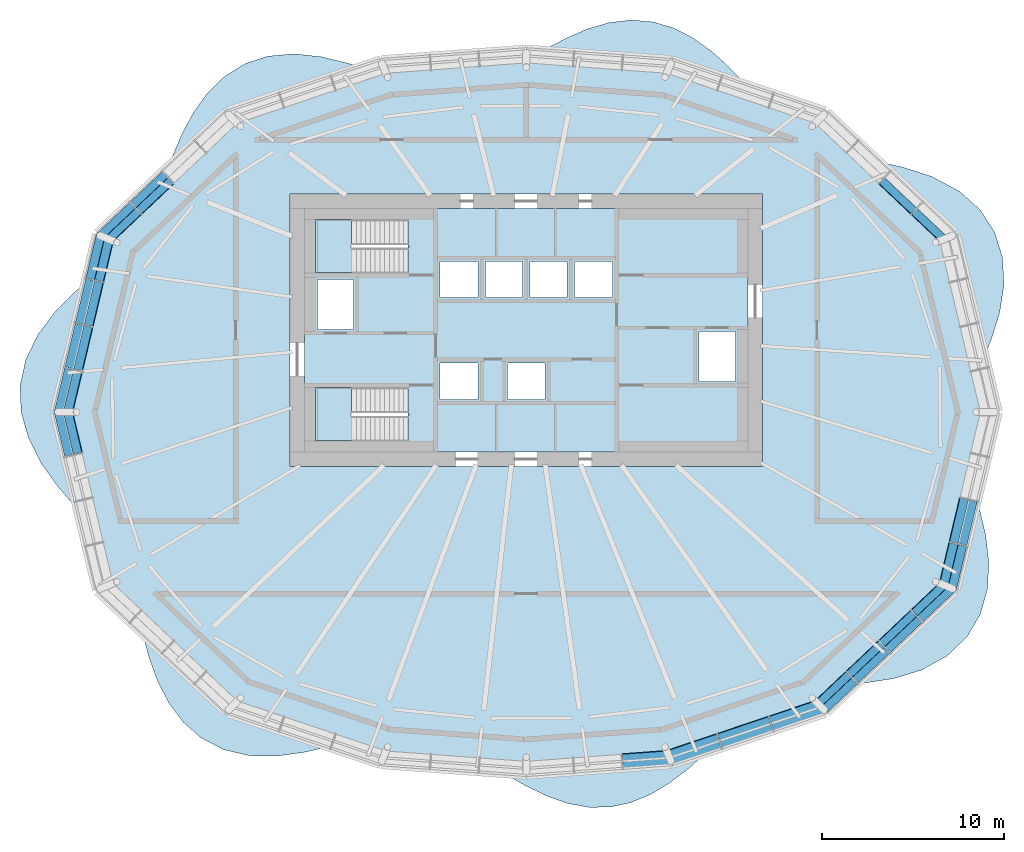
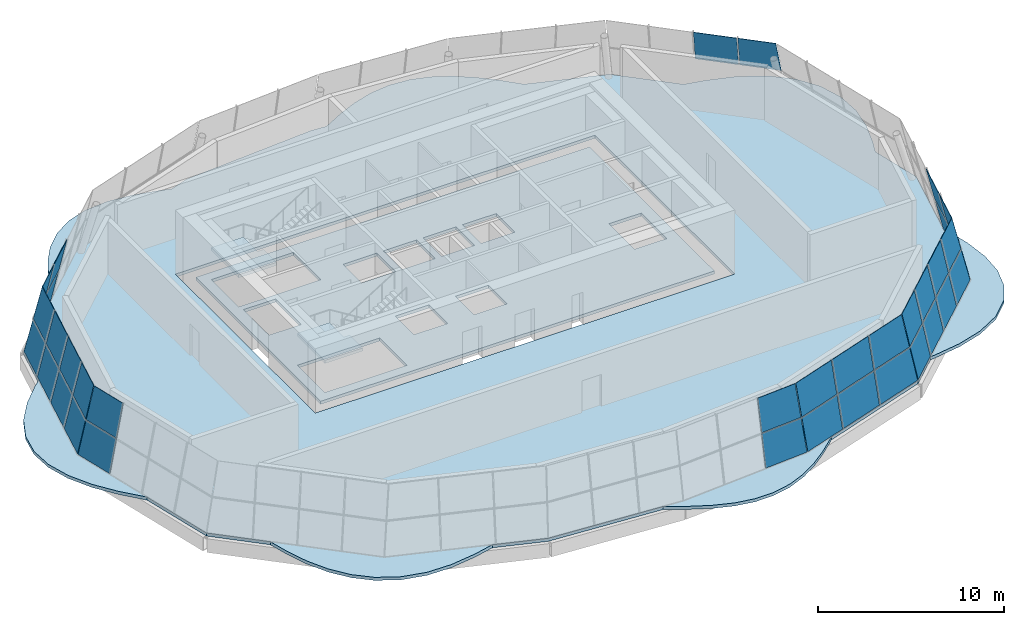
# One storey, part 5 of 9: 36 plates, 4 slabs, 10 elements without a shape of their own.
"""IFC4 building model written with IfcOpenShell, lengths in metres."""

import ifcopenshell
import ifcopenshell.guid

model = None  # the IFC model being written
_history = None  # IfcOwnerHistory: only IFC2X3 demands one
_inside = {}  # id of a spatial element -> (the spatial element, [elements in it])
_under = {}  # id of a project, library or spatial element -> (it, [spatial elements below it])
_declared = {}  # id of a project -> (the project, [libraries it declares])
_typed = {}  # id of a type object -> (the type object, [elements of that type])
_made_of = {}  # id of a material, layer set ... -> (it, [elements and type objects made of it])


def new_model(schema):
    """Start an empty IFC model of exactly this schema.

    Asked for "IFC4X3", IfcOpenShell would pick the latest addendum, in which some entities
    have other attributes; the version numbers below select the first issue.
    IFC2X3 requires an IfcOwnerHistory on every rooted entity: one is made here for all.
    """
    global model, _history
    if schema == "IFC4X3":
        model = ifcopenshell.file(schema_version=(4, 3, 0, 0))
    else:
        model = ifcopenshell.file(schema=schema)
    _inside.clear()
    _under.clear()
    _declared.clear()
    _typed.clear()
    _made_of.clear()
    _history = None
    if model.schema == "IFC2X3":
        org = make("IfcOrganization", Name="unknown")
        user = make(
            "IfcPersonAndOrganization",
            ThePerson=make("IfcPerson", FamilyName="unknown"),
            TheOrganization=org,
        )
        app = make(
            "IfcApplication",
            ApplicationDeveloper=org,
            Version="unknown",
            ApplicationFullName="unknown",
            ApplicationIdentifier="unknown",
        )
        _history = make(
            "IfcOwnerHistory",
            OwningUser=user,
            OwningApplication=app,
            ChangeAction="ADDED",
            CreationDate=0,
        )
    return model


def make(cls, **values):
    """One entity of the class cls with the attributes given. An attribute that is None is left unset."""
    return model.create_entity(
        cls, **{name: value for name, value in values.items() if value is not None}
    )


def rooted(cls, **values):
    """An entity with a GlobalId (a new one), such as an element, a storey or a relation."""
    return make(cls, GlobalId=ifcopenshell.guid.new(), OwnerHistory=_history, **values)


def si_unit(unit_type, name, prefix=None):
    """IfcSIUnit, for example si_unit("LENGTHUNIT", "METRE", prefix="MILLI")."""
    return make("IfcSIUnit", UnitType=unit_type, Prefix=prefix, Name=name)


def assignment(units):
    """IfcUnitAssignment: the units of a project."""
    return None if units is None else make("IfcUnitAssignment", Units=units)


def point(xyz):
    """IfcCartesianPoint."""
    return None if xyz is None else make("IfcCartesianPoint", Coordinates=xyz)


def direction(xyz):
    """IfcDirection."""
    return None if xyz is None else make("IfcDirection", DirectionRatios=xyz)


def frame(location, z_axis=None, x_axis=None):
    """IfcAxis2Placement3D, a coordinate frame: its origin and axes. An axis left out is left unset."""
    return make(
        "IfcAxis2Placement3D",
        Location=point(location),
        Axis=direction(z_axis),
        RefDirection=direction(x_axis),
    )


def origin():
    """The frame at (0, 0, 0) with its axes left unset."""
    return frame((0.0, 0.0, 0.0))


def place(relative_to, where):
    """IfcLocalPlacement: puts the frame where relative to a parent placement (None: the world)."""
    return make(
        "IfcLocalPlacement", PlacementRelTo=relative_to, RelativePlacement=where
    )


def context(
    kind, dimensions, precision=None, world=None, true_north=None, identifier=None
):
    """IfcGeometricRepresentationContext, for example the 3D "Model" context."""
    return make(
        "IfcGeometricRepresentationContext",
        ContextIdentifier=identifier,
        ContextType=kind,
        CoordinateSpaceDimension=dimensions,
        Precision=precision,
        WorldCoordinateSystem=world,
        TrueNorth=true_north,
    )


def subcontext(parent, identifier, kind, view, scale=None):
    """IfcGeometricRepresentationSubContext, for example "Body" below "Model"."""
    return make(
        "IfcGeometricRepresentationSubContext",
        ContextIdentifier=identifier,
        ContextType=kind,
        ParentContext=parent,
        TargetScale=scale,
        TargetView=view,
    )


def project(units=None, contexts=None):
    """IfcProject with its units and contexts."""
    return rooted(
        "IfcProject",
        Name="project",
        RepresentationContexts=contexts,
        UnitsInContext=assignment(units),
    )


def spatial(cls, under=None, at=None, **own):
    """A site, building, storey or space (cls), placed at a placement, below another one or the project."""
    s = rooted(cls, ObjectPlacement=at, **own)
    if under is not None:
        _under.setdefault(under.id(), (under, []))[1].append(s)
    return s


def polyline(points):
    """IfcPolyline through the points."""
    return make("IfcPolyline", Points=[point(p) for p in points])


def outline(outer, holes=None, kind="AREA"):
    """IfcArbitraryClosedProfileDef: a profile drawn as a closed curve; with holes, ...WithVoids."""
    if holes is None:
        return make("IfcArbitraryClosedProfileDef", ProfileType=kind, OuterCurve=outer)
    return make(
        "IfcArbitraryProfileDefWithVoids",
        ProfileType=kind,
        OuterCurve=outer,
        InnerCurves=holes,
    )


def extrude(swept, where, along, depth):
    """IfcExtrudedAreaSolid: the profile swept, set in the frame where, extruded along a direction by depth."""
    return make(
        "IfcExtrudedAreaSolid",
        SweptArea=swept,
        Position=where,
        ExtrudedDirection=direction(along),
        Depth=depth,
    )


def shape(context_of_items, identifier, shape_type, items):
    """IfcShapeRepresentation: the items that make up one representation, for example the "Body"."""
    return make(
        "IfcShapeRepresentation",
        ContextOfItems=context_of_items,
        RepresentationIdentifier=identifier,
        RepresentationType=shape_type,
        Items=items,
    )


def material(Name=None, Category=None):
    """IfcMaterial."""
    return make("IfcMaterial", Name=Name, Category=Category)


def layer(
    of_material, thickness, ventilated=None, Name=None, Category=None, Priority=None
):
    """IfcMaterialLayer: one layer of a wall or slab, of a material (None: an air gap)."""
    return make(
        "IfcMaterialLayer",
        Material=of_material,
        LayerThickness=thickness,
        IsVentilated=ventilated,
        Name=Name,
        Category=Category,
        Priority=Priority,
    )


def layer_set(layers, Name=None):
    """IfcMaterialLayerSet."""
    return make("IfcMaterialLayerSet", MaterialLayers=layers, LayerSetName=Name)


def made_of(thing, what):
    """Note that an element or type object is made of a material, layer set ...; save() writes the relation."""
    if what is not None:
        _made_of.setdefault(what.id(), (what, []))[1].append(thing)
    return thing


def type_object(cls, material=None, **own):
    """A type object (cls), such as IfcWallType, which elements share."""
    return made_of(rooted(cls, **own), material)


def element(
    cls,
    number,
    at=None,
    inside=None,
    cuts=None,
    type_object=None,
    material=None,
    context=None,
    identifier="Body",
    shape_type=None,
    held_by="IfcProductDefinitionShape",
    body=None,
    shapes=None,
    **own,
):
    """One element of the class cls, such as IfcWall. Its Tag is "e" and its number.

    at: its placement. inside: the storey or other place that contains it. cuts: it is an
    opening in that element (IfcRelVoidsElement). A single representation is given by context,
    identifier, shape_type and body (its items); several are given by shapes. held_by: the class
    of the entity that holds the representations. save() writes the other relations.
    """
    e = rooted(cls, Tag="e%d" % number, ObjectPlacement=at, **own)
    if body is not None:
        shapes = [shape(context, identifier, shape_type, body)]
    if shapes is not None:
        e.Representation = make(held_by, Representations=shapes)
    if inside is not None:
        _inside.setdefault(inside.id(), (inside, []))[1].append(e)
    if cuts is not None:
        rooted(
            "IfcRelVoidsElement", RelatingBuildingElement=cuts, RelatedOpeningElement=e
        )
    if type_object is not None:
        _typed.setdefault(type_object.id(), (type_object, []))[1].append(e)
    return made_of(e, material)


def aggregate(whole, parts):
    """IfcRelAggregates: a whole, such as a stair, and the parts it consists of."""
    return rooted("IfcRelAggregates", RelatingObject=whole, RelatedObjects=parts)


def save(model, path):
    """Write the relations noted so far, then the file.

    IfcRelAggregates (storeys below a building ...), IfcRelContainedInSpatialStructure (elements
    in a storey), IfcRelDefinesByType, IfcRelAssociatesMaterial and IfcRelDeclares: one each for
    every whole, place, type object, material and project.
    """
    for whole, parts in _under.values():
        aggregate(whole, parts)
    for where, things in _inside.values():
        rooted(
            "IfcRelContainedInSpatialStructure",
            RelatedElements=things,
            RelatingStructure=where,
        )
    for kind, things in _typed.values():
        rooted("IfcRelDefinesByType", RelatedObjects=things, RelatingType=kind)
    for what, things in _made_of.values():
        rooted("IfcRelAssociatesMaterial", RelatedObjects=things, RelatingMaterial=what)
    for by, libraries in _declared.values():
        rooted("IfcRelDeclares", RelatingContext=by, RelatedDefinitions=libraries)
    model.write(path)


model = new_model("IFC4")

# Units and contexts
model_context = context("Model", 3, precision=1e-05, world=origin(), true_north=direction((0.0, 1.0)))
body_context = subcontext(model_context, "Body", "Model", "MODEL_VIEW")
ifc_project = project(units=[si_unit("LENGTHUNIT", "METRE"), si_unit("AREAUNIT", "SQUARE_METRE"), si_unit("VOLUMEUNIT", "CUBIC_METRE"), si_unit("PLANEANGLEUNIT", "RADIAN"), si_unit("MASSUNIT", "GRAM", prefix="KILO")], contexts=[model_context])

# Site, building, storey
site_placement = place(None, origin())
site = spatial("IfcSite", under=ifc_project, at=site_placement, CompositionType="ELEMENT")
building_placement = place(site_placement, origin())
building = spatial("IfcBuilding", under=site, at=building_placement, Name="Rubra Terraces Tower", CompositionType="ELEMENT")
storey_placement = place(building_placement, frame((0.0, 0.0, 307.800048828125)))
storey = spatial("IfcBuildingStorey", under=building, at=storey_placement, Name="L76", CompositionType="ELEMENT", Elevation=307.800048828125)

# Slab
ifc_material_1 = material(Name="Concrete C40", Category="concrete")
ifc_layer_1 = layer(ifc_material_1, 0.199951171875)
ifc_layer_set_1 = layer_set([ifc_layer_1], Name="Concrete C40")
slab_type_1 = type_object("IfcSlabType", Name="Core floor slab 200 concrete", PredefinedType="FLOOR", material=ifc_layer_set_1)
slab_1_placement = place(storey_placement, frame((0.0, 0.0, -0.199951171875)))
element("IfcSlab", 1, at=slab_1_placement, inside=storey, type_object=slab_type_1, Name="CORE FLOOR SLAB L76", PredefinedType="FLOOR", context=body_context, shape_type="SweptSolid", body=[
    extrude(outline(polyline([(-12.199951171875, -2.199951171875), (-12.199951171875, 11.199951171875), (12.199951171875, 11.199951171875), (12.199951171875, -2.199951171875), (-12.199951171875, -2.199951171875)]), holes=[polyline([(9.5, 1.699951171875), (11.5, 1.699951171875), (11.5, 4.449951171875), (9.5, 4.449951171875), (9.5, 1.699951171875)]), polyline([(4.75, 6.300048828125), (4.75, 8.300048828125), (2.64990234375, 8.300048828125), (2.64990234375, 6.300048828125), (4.75, 6.300048828125)]), polyline([(2.25, 8.300048828125), (0.199951171875, 8.300048828125), (0.199951171875, 6.300048828125), (2.25, 6.300048828125), (2.25, 8.300048828125)]), polyline([(1.02490234375, 2.699951171875), (-1.02490234375, 2.699951171875), (-1.02490234375, 0.699951171875), (1.02490234375, 0.699951171875), (1.02490234375, 2.699951171875)]), polyline([(-0.199951171875, 8.300048828125), (-2.25, 8.300048828125), (-2.25, 6.300048828125), (-0.199951171875, 6.300048828125), (-0.199951171875, 8.300048828125)]), polyline([(-4.75, 8.300048828125), (-4.75, 6.300048828125), (-2.64990234375, 6.300048828125), (-2.64990234375, 8.300048828125), (-4.75, 8.300048828125)]), polyline([(-2.64990234375, 2.699951171875), (-4.75, 2.699951171875), (-4.75, 0.699951171875), (-2.64990234375, 0.699951171875), (-2.64990234375, 2.699951171875)]), polyline([(-11.597900390625, -1.597900390625), (-6.501953125, -1.597900390625), (-6.501953125, 1.347900390625), (-11.597900390625, 1.347900390625), (-11.597900390625, -1.597900390625)]), polyline([(-11.597900390625, 10.597900390625), (-11.597900390625, 7.652099609375), (-6.501953125, 7.652099609375), (-6.501953125, 10.597900390625), (-11.597900390625, 10.597900390625)]), polyline([(-9.5, 4.550048828125), (-9.5, 7.300048828125), (-11.5, 7.300048828125), (-11.5, 4.550048828125), (-9.5, 4.550048828125)])]), origin(), (0.0, 0.0, 1.0), 0.199951171875),
])

# Stair, slab
stair_type = type_object("IfcStairType", Name="Core stair 1400", PredefinedType="HALF_TURN_STAIR", material=ifc_material_1)
stair_1_placement = place(storey_placement, origin())
stair_1 = element("IfcStair", 2, at=stair_1_placement, inside=storey, type_object=stair_type, Name="L76 Exit stair S1", PredefinedType="HALF_TURN_STAIR")
ifc_layer_2 = layer(ifc_material_1, 0.199951171875)
ifc_layer_set_2 = layer_set([ifc_layer_2], Name="Concrete C40")
slab_type_2 = type_object("IfcSlabType", Name="Core stair landing 200", PredefinedType="LANDING", material=ifc_layer_set_2)
slab_2_placement = place(storey_placement, frame((0.0, 0.0, 1.89990234375)))
slab_2 = element("IfcSlab", 3, at=slab_2_placement, type_object=slab_type_2, Name="S1 landing 1", PredefinedType="LANDING", context=body_context, shape_type="SweptSolid", body=[
    extrude(outline(polyline([(-9.239990234375, -0.199951171875), (-9.239990234375, -1.60009765625), (-9.6201171875, -1.60009765625), (-9.639892578125, -1.60009765625), (-11.60009765625, -1.60009765625), (-11.60009765625, 1.35009765625), (-9.639892578125, 1.35009765625), (-9.617919921875, 1.35009765625), (-9.617919921875, -0.050048828125), (-9.6201171875, -0.050048828125), (-9.6201171875, -0.199951171875), (-9.239990234375, -0.199951171875)])), origin(), (0.0, 0.0, 1.0), 0.199951171875),
])
aggregate(stair_1, [slab_2])

stair_2_placement = place(storey_placement, origin())
stair_2 = element("IfcStair", 4, at=stair_2_placement, inside=storey, type_object=stair_type, Name="L76 Exit stair S2", PredefinedType="HALF_TURN_STAIR")
slab_3_placement = place(storey_placement, frame((0.0, 0.0, 1.89990234375)))
slab_3 = element("IfcSlab", 5, at=slab_3_placement, type_object=slab_type_2, Name="S2 landing 1", PredefinedType="LANDING", context=body_context, shape_type="SweptSolid", body=[
    extrude(outline(polyline([(-9.239990234375, 9.050048828125), (-9.239990234375, 7.64990234375), (-9.639892578125, 7.64990234375), (-11.60009765625, 7.64990234375), (-11.60009765625, 10.60009765625), (-9.639892578125, 10.60009765625), (-9.6201171875, 10.60009765625), (-9.617919921875, 10.60009765625), (-9.617919921875, 9.199951171875), (-9.6201171875, 9.199951171875), (-9.6201171875, 9.050048828125), (-9.239990234375, 9.050048828125)])), origin(), (0.0, 0.0, 1.0), 0.199951171875),
])
aggregate(stair_2, [slab_3])

# Curtain wall, plates
ifc_material_2 = material(Name="Aluminium and glass", Category="aluminium")
curtain_wall_type = type_object("IfcCurtainWallType", Name="Curtain wall Crown glazing", PredefinedType="NOTDEFINED", material=ifc_material_2)
curtain_wall_1_placement = place(storey_placement, origin())
curtain_wall_1 = element("IfcCurtainWall", 6, at=curtain_wall_1_placement, inside=storey, type_object=curtain_wall_type, Name="Crown glazing L76 facet 2", PredefinedType="NOTDEFINED")
ifc_material_3 = material(Name="Clear glass, laminated", Category="glass")
ifc_layer_3 = layer(ifc_material_3, 0.028076171875)
ifc_layer_set_3 = layer_set([ifc_layer_3], Name="Clear glass, laminated")
plate_type = type_object("IfcPlateType", Name="Crown glazing glass panel 28", PredefinedType="CURTAIN_PANEL", material=ifc_layer_set_3)
plate_1_placement = place(storey_placement, frame((23.1806640625, 9.63134765625, 2.129150390625), z_axis=(0.671271342299, 0.710035128405, 0.212708489344), x_axis=(-0.726662743559, 0.686994364614, -1.0609003e-05)))
plate_1 = element("IfcPlate", 7, at=plate_1_placement, type_object=plate_type, Name="Crown glazing L76 facet 2 panel 1.2", PredefinedType="CURTAIN_PANEL", context=body_context, shape_type="SweptSolid", body=[
    extrude(outline(polyline([(0.0, 0.0), (2.2934720499876695, -2.7755575615628914e-17), (2.293489832049503, 2.089341344250916), (0.19913599073740013, 2.089293703569441), (0.0, 0.0)])), origin(), (0.0, 0.0, -1.0), 0.028076171875),
])
plate_2_placement = place(storey_placement, frame((21.470703125, 11.248291015625, 2.129150390625), z_axis=(0.671218584608, 0.710056828492, 0.212802518758), x_axis=(-0.726700611972, 0.686954307432, -7.709743e-06)))
plate_2 = element("IfcPlate", 8, at=plate_2_placement, type_object=plate_type, Name="Crown glazing L76 facet 2 panel 2.2", PredefinedType="CURTAIN_PANEL", context=body_context, shape_type="SweptSolid", body=[
    extrude(outline(polyline([(0.0, 0.0), (2.3924344373750674, 5.551115123125783e-17), (2.3923149289932937, 2.0893790986550993), (4.820507218958988e-05, 2.089341345103906), (0.0, 0.0)])), origin(), (0.0, 0.0, -1.0), 0.028076171875),
])
aggregate(curtain_wall_1, [plate_1, plate_2])

curtain_wall_2_placement = place(storey_placement, origin())
curtain_wall_2 = element("IfcCurtainWall", 9, at=curtain_wall_2_placement, inside=storey, type_object=curtain_wall_type, Name="Crown glazing L76 facet 7", PredefinedType="NOTDEFINED")
plate_3_placement = place(storey_placement, frame((-20.04638671875, 13.22412109375, 0.029296875), z_axis=(-0.671264728667, 0.710005922619, 0.212826816667), x_axis=(-0.726652448152, -0.687005254373, 7.710642e-06)))
plate_3 = element("IfcPlate", 10, at=plate_3_placement, type_object=plate_type, Name="Crown glazing L76 facet 7 panel 3.1", PredefinedType="CURTAIN_PANEL", context=body_context, shape_type="SweptSolid", body=[
    extrude(outline(polyline([(0.0, 0.0), (2.3922570320500647, 5.551115123125783e-17), (2.392239992883838, 2.089102795441261), (0.0001506867259543576, 2.089140550800509), (0.0, 0.0)])), origin(), (0.0, 0.0, -1.0), 0.028076171875),
])
plate_4_placement = place(storey_placement, frame((-19.732177734375, 12.891845703125, 2.129150390625), z_axis=(-0.671218584608, 0.710056828492, 0.212802518758), x_axis=(-0.726700611972, -0.686954307432, 7.709743e-06)))
plate_4 = element("IfcPlate", 11, at=plate_4_placement, type_object=plate_type, Name="Crown glazing L76 facet 7 panel 3.2", PredefinedType="CURTAIN_PANEL", context=body_context, shape_type="SweptSolid", body=[
    extrude(outline(polyline([(0.0, 0.0), (2.3924344373750674, -5.551115123125783e-17), (2.3923862323028775, 2.089341345103906), (0.0001195083817734022, 2.0893790986550993), (0.0, 0.0)])), origin(), (0.0, 0.0, -1.0), 0.028076171875),
])
plate_5_placement = place(storey_placement, frame((-21.828369140625, 11.539306640625, 0.029296875), z_axis=(-0.671270221937, 0.710004999929, 0.212812568278), x_axis=(-0.726651066091, -0.687006716216, -4.787816e-06)))
plate_5 = element("IfcPlate", 12, at=plate_5_placement, type_object=plate_type, Name="Crown glazing L76 facet 7 panel 4.1", PredefinedType="CURTAIN_PANEL", context=body_context, shape_type="SweptSolid", body=[
    extrude(outline(polyline([(0.0, 0.0), (2.498299448840612, -5.551115123125783e-17), (2.2991298999327174, 2.0891263040394015), (-4.1657483841362684e-05, 2.0891027961371686), (0.0, 0.0)])), origin(), (0.0, 0.0, -1.0), 0.028076171875),
])
plate_6_placement = place(storey_placement, frame((-21.51416015625, 11.20703125, 2.129150390625), z_axis=(-0.671271342299, 0.710035128405, 0.212708489344), x_axis=(-0.726662743559, -0.686994364614, 1.0609003e-05)))
plate_6 = element("IfcPlate", 13, at=plate_6_placement, type_object=plate_type, Name="Crown glazing L76 facet 7 panel 4.2", PredefinedType="CURTAIN_PANEL", context=body_context, shape_type="SweptSolid", body=[
    extrude(outline(polyline([(0.0, 0.0), (2.2934720499876695, 2.7755575615628914e-17), (2.0943360592502693, 2.089293703569441), (-1.7782061833242895e-05, 2.089341344250916), (0.0, 0.0)])), origin(), (0.0, 0.0, -1.0), 0.028076171875),
])
aggregate(curtain_wall_2, [plate_3, plate_4, plate_5, plate_6])

curtain_wall_3_placement = place(storey_placement, origin())
curtain_wall_3 = element("IfcCurtainWall", 14, at=curtain_wall_3_placement, inside=storey, type_object=curtain_wall_type, Name="Crown glazing L76 facet 8", PredefinedType="NOTDEFINED")
plate_7_placement = place(storey_placement, frame((-23.672607421875, 9.773193359375, 0.029052734375), z_axis=(-0.947023333537, 0.224852461809, 0.229321120167), x_axis=(-0.231008331812, -0.972951771997, 1.398421e-06)))
plate_7 = element("IfcPlate", 15, at=plate_7_placement, type_object=plate_type, Name="Crown glazing L76 facet 8 panel 1.1", PredefinedType="CURTAIN_PANEL", context=body_context, shape_type="SweptSolid", body=[
    extrude(outline(polyline([(0.0, 0.0), (2.4392654798344315, 0.0), (2.439231734514845, 2.0976451536369263), (0.0772447590742743, 2.09765205163616), (0.0, 0.0)])), origin(), (0.0, 0.0, -1.0), 0.028076171875),
])
plate_8_placement = place(storey_placement, frame((-23.20947265625, 9.58154296875, 2.129150390625), z_axis=(-0.947016858974, 0.224865956514, 0.229334625429), x_axis=(-0.231023539331, -0.972948161144, -1.167165e-06)))
plate_8 = element("IfcPlate", 16, at=plate_8_placement, type_object=plate_type, Name="Crown glazing L76 facet 8 panel 1.2", PredefinedType="CURTAIN_PANEL", context=body_context, shape_type="SweptSolid", body=[
    extrude(outline(polyline([(0.0, 0.0), (2.3597363453918216, 0.0), (2.3596898435836784, 2.0974075192832644), (0.07699446592681511, 2.0974019524317127), (0.0, 0.0)])), origin(), (0.0, 0.0, -1.0), 0.028076171875),
])
plate_9_placement = place(storey_placement, frame((-24.249755859375, 7.341552734375, 0.029052734375), z_axis=(-0.947032785158, 0.224874393742, 0.229260574185), x_axis=(-0.231030268796, -0.97294656317, -1.0775414e-05)))
plate_9 = element("IfcPlate", 17, at=plate_9_placement, type_object=plate_type, Name="Crown glazing L76 facet 8 panel 2.1", PredefinedType="CURTAIN_PANEL", context=body_context, shape_type="SweptSolid", body=[
    extrude(outline(polyline([(0.0, 0.0), (2.4596339545770345, 0.0), (2.459564507842008, 2.0976451496259374), (-1.3042860808724775e-05, 2.097590692627742), (0.0, 0.0)])), origin(), (0.0, 0.0, -1.0), 0.028076171875),
])
plate_10_placement = place(storey_placement, frame((-23.7685546875, 7.227294921875, 2.129150390625), z_axis=(-0.947019894718, 0.224834494211, 0.229352935935), x_axis=(-0.230992558639, -0.97295551689, -2.559521e-06)))
plate_10 = element("IfcPlate", 18, at=plate_10_placement, type_object=plate_type, Name="Crown glazing L76 facet 8 panel 2.2", PredefinedType="CURTAIN_PANEL", context=body_context, shape_type="SweptSolid", body=[
    extrude(outline(polyline([(0.0, 0.0), (2.459340015867358, -2.7755575615628914e-17), (2.4595435261393055, 2.097420454251918), (-3.402769604308657e-05, 2.0974075193775477), (0.0, 0.0)])), origin(), (0.0, 0.0, -1.0), 0.028076171875),
])
plate_11_placement = place(storey_placement, frame((-24.831787109375, 4.890380859375, 0.029052734375), z_axis=(-0.94704900378, 0.224793093638, 0.229273307413), x_axis=(-0.230946869833, -0.972966362855, -8.21853e-06)))
plate_11 = element("IfcPlate", 19, at=plate_11_placement, type_object=plate_type, Name="Crown glazing L76 facet 8 panel 3.1", PredefinedType="CURTAIN_PANEL", context=body_context, shape_type="SweptSolid", body=[
    extrude(outline(polyline([(0.0, 0.0), (2.4595775524422905, -2.7755575615628914e-17), (2.4595545578290117, 2.097645151982217), (0.0002709295157954365, 2.0976036198453736), (0.0, 0.0)])), origin(), (0.0, 0.0, -1.0), 0.028076171875),
])
plate_12_placement = place(storey_placement, frame((-24.3505859375, 4.77587890625, 2.129150390625), z_axis=(-0.947020236823, 0.224846045412, 0.229340199073), x_axis=(-0.231003127129, -0.972953007733, 0.0)))
plate_12 = element("IfcPlate", 20, at=plate_12_placement, type_object=plate_type, Name="Crown glazing L76 facet 8 panel 3.2", PredefinedType="CURTAIN_PANEL", context=body_context, shape_type="SweptSolid", body=[
    extrude(outline(polyline([(0.0, 0.0), (2.4593400160205015, 0.0), (2.4593059886307467, 2.0974075195571227), (-3.402738975477516e-05, 2.0974075195571227), (0.0, 0.0)])), origin(), (0.0, 0.0, -1.0), 0.028076171875),
])
plate_13_placement = place(storey_placement, frame((-25.413818359375, 2.43896484375, 0.029052734375), z_axis=(-0.947012958438, 0.224906370218, 0.229311101316), x_axis=(-0.231063333912, -0.972938711184, 6.2161e-07)))
plate_13 = element("IfcPlate", 21, at=plate_13_placement, type_object=plate_type, Name="Crown glazing L76 facet 8 panel 4.1", PredefinedType="CURTAIN_PANEL", context=body_context, shape_type="SweptSolid", body=[
    extrude(outline(polyline([(0.0, 0.0), (2.4766888510935963, 2.7755575615628914e-17), (2.362455928083962, 2.0976420625682457), (-6.252416896550195e-05, 2.0976451530185334), (0.0, 0.0)])), origin(), (0.0, 0.0, -1.0), 0.028076171875),
])
plate_14_placement = place(storey_placement, frame((-24.9326171875, 2.32470703125, 2.129150390625), z_axis=(-0.947026308186, 0.224821330779, 0.229339357353), x_axis=(-0.230977648222, -0.972959056704, 1.76386e-07)))
plate_14 = element("IfcPlate", 22, at=plate_14_placement, type_object=plate_type, Name="Crown glazing L76 facet 8 panel 4.2", PredefinedType="CURTAIN_PANEL", context=body_context, shape_type="SweptSolid", body=[
    extrude(outline(polyline([(0.0, 0.0), (2.3592048735253734, 0.0), (2.24501340313817, 2.0974066853625724), (-2.1070775833366226e-05, 2.097407519726521), (0.0, 0.0)])), origin(), (0.0, 0.0, -1.0), 0.028076171875),
])
aggregate(curtain_wall_3, [plate_7, plate_8, plate_9, plate_10, plate_11, plate_12, plate_13, plate_14])

curtain_wall_4_placement = place(storey_placement, origin())
curtain_wall_4 = element("IfcCurtainWall", 23, at=curtain_wall_4_placement, inside=storey, type_object=curtain_wall_type, Name="Crown glazing L76 facet 9", PredefinedType="NOTDEFINED")
plate_15_placement = place(storey_placement, frame((-25.986083984375, -0.029296875, 0.029052734375), z_axis=(-0.947012958438, -0.224906370218, 0.229311101316), x_axis=(0.231063333912, -0.972938711184, -6.2161e-07)))
plate_15 = element("IfcPlate", 24, at=plate_15_placement, type_object=plate_type, Name="Crown glazing L76 facet 9 panel 1.1", PredefinedType="CURTAIN_PANEL", context=body_context, shape_type="SweptSolid", body=[
    extrude(outline(polyline([(0.0, 0.0), (2.4766888510935963, -2.7755575615628914e-17), (2.476751375262561, 2.0976451530185334), (0.11423292300963449, 2.0976420625682457), (0.0, 0.0)])), origin(), (0.0, 0.0, -1.0), 0.028076171875),
])
plate_16_placement = place(storey_placement, frame((-25.4775390625, -0.029296875, 2.129150390625), z_axis=(-0.947026308186, -0.224821330779, 0.229339357353), x_axis=(0.230977648222, -0.972959056704, -1.76386e-07)))
plate_16 = element("IfcPlate", 25, at=plate_16_placement, type_object=plate_type, Name="Crown glazing L76 facet 9 panel 1.2", PredefinedType="CURTAIN_PANEL", context=body_context, shape_type="SweptSolid", body=[
    extrude(outline(polyline([(0.0, 0.0), (2.3592048735253734, 0.0), (2.3592259443012065, 2.097407519726521), (0.11419147038720324, 2.0974066853625724), (0.0, 0.0)])), origin(), (0.0, 0.0, -1.0), 0.028076171875),
])
aggregate(curtain_wall_4, [plate_15, plate_16])

curtain_wall_5_placement = place(storey_placement, origin())
curtain_wall_5 = element("IfcCurtainWall", 26, at=curtain_wall_5_placement, inside=storey, type_object=curtain_wall_type, Name="Crown glazing L76 facet 13", PredefinedType="NOTDEFINED")
plate_17_placement = place(storey_placement, frame((5.337890625, -19.5986328125, 0.029541015625), z_axis=(0.072739653706, -0.980491933526, 0.182604794761), x_axis=(0.997259553116, 0.073982319992, -6.826614e-06)))
plate_17 = element("IfcPlate", 27, at=plate_17_placement, type_object=plate_type, Name="Crown glazing L76 facet 13 panel 3.1", PredefinedType="CURTAIN_PANEL", context=body_context, shape_type="SweptSolid", body=[
    extrude(outline(polyline([(0.0, 0.0), (2.6743137298431385, 0.0), (2.5494218827520077, 2.0759370121895024), (-5.304876859935377e-05, 2.075900741559028), (0.0, 0.0)])), origin(), (0.0, 0.0, -1.0), 0.028076171875),
])
plate_18_placement = place(storey_placement, frame((5.30908203125, -19.209716796875, 2.12939453125), z_axis=(0.07273466867, -0.980492330888, 0.18260464683), x_axis=(0.997259933824, 0.073977187953, -7.148869e-06)))
plate_18 = element("IfcPlate", 28, at=plate_18_placement, type_object=plate_type, Name="Crown glazing L76 facet 13 panel 3.2", PredefinedType="CURTAIN_PANEL", context=body_context, shape_type="SweptSolid", body=[
    extrude(outline(polyline([(0.0, 0.0), (2.545786734314397, -6.938893903907228e-18), (2.420892278214456, 2.0759368552405273), (-5.565673355701708e-05, 2.0759007415057535), (0.0, 0.0)])), origin(), (0.0, 0.0, -1.0), 0.028076171875),
])
aggregate(curtain_wall_5, [plate_17, plate_18])

curtain_wall_6_placement = place(storey_placement, origin())
curtain_wall_6 = element("IfcCurtainWall", 29, at=curtain_wall_6_placement, inside=storey, type_object=curtain_wall_type, Name="Crown glazing L76 facet 14", PredefinedType="NOTDEFINED")
plate_19_placement = place(storey_placement, frame((8.063232421875, -19.38916015625, 0.029296875), z_axis=(0.312762653857, -0.930328116042, 0.191491824507), x_axis=(0.947869041878, 0.318660131558, 2.312387e-06)))
plate_19 = element("IfcPlate", 30, at=plate_19_placement, type_object=plate_type, Name="Crown glazing L76 facet 14 panel 1.1", PredefinedType="CURTAIN_PANEL", context=body_context, shape_type="SweptSolid", body=[
    extrude(outline(polyline([(0.0, 0.0), (2.816258483275792, -2.7755575615628914e-17), (2.8162037946715817, 2.079740497685054), (-0.027076015264778368, 2.0797538314785915), (0.0, 0.0)])), origin(), (0.0, 0.0, -1.0), 0.028076171875),
])
plate_20_placement = place(storey_placement, frame((7.90625, -19.009521484375, 2.12939453125), z_axis=(0.312766664798, -0.930334087382, 0.191456259353), x_axis=(0.947869061585, 0.318660072846, -7.923485e-06)))
plate_20 = element("IfcPlate", 31, at=plate_20_placement, type_object=plate_type, Name="Crown glazing L76 facet 14 panel 1.2", PredefinedType="CURTAIN_PANEL", context=body_context, shape_type="SweptSolid", body=[
    extrude(outline(polyline([(0.0, 0.0), (2.8442832611067304, 0.0), (2.8439762404219384, 2.0797553899860786), (-0.02717473187310957, 2.079709250296486), (0.0, 0.0)])), origin(), (0.0, 0.0, -1.0), 0.028076171875),
])
plate_21_placement = place(storey_placement, frame((10.78955078125, -18.472412109375, 0.029296875), z_axis=(0.312769825525, -0.930340037664, 0.191422178864), x_axis=(0.947868672852, 0.318661229163, -7.415477e-06)))
plate_21 = element("IfcPlate", 32, at=plate_21_placement, type_object=plate_type, Name="Crown glazing L76 facet 14 panel 2.1", PredefinedType="CURTAIN_PANEL", context=body_context, shape_type="SweptSolid", body=[
    extrude(outline(polyline([(0.0, 0.0), (2.931601342083459, 0.0), (2.93152725751234, 2.0797404942618942), (-0.00015188272277032544, 2.079696196067077), (0.0, 0.0)])), origin(), (0.0, 0.0, -1.0), 0.028076171875),
])
plate_22_placement = place(storey_placement, frame((10.658935546875, -18.084228515625, 2.12939453125), z_axis=(0.312803211794, -0.930317783286, 0.191475775995), x_axis=(0.947855634408, 0.318700009917, 0.0)))
plate_22 = element("IfcPlate", 33, at=plate_22_placement, type_object=plate_type, Name="Crown glazing L76 facet 14 panel 2.2", PredefinedType="CURTAIN_PANEL", context=body_context, shape_type="SweptSolid", body=[
    extrude(outline(polyline([(0.0, 0.0), (2.931679142769455, 0.0), (2.9316364878476, 2.0797404982447283), (-4.265492185498432e-05, 2.0797404982447283), (0.0, 0.0)])), origin(), (0.0, 0.0, -1.0), 0.028076171875),
])
plate_23_placement = place(storey_placement, frame((13.625244140625, -17.519287109375, 0.029296875), z_axis=(0.312751283609, -0.930322195176, 0.191539154652), x_axis=(0.947871708982, 0.31865219798, 5.840274e-06)))
plate_23 = element("IfcPlate", 34, at=plate_23_placement, type_object=plate_type, Name="Crown glazing L76 facet 14 panel 3.1", PredefinedType="CURTAIN_PANEL", context=body_context, shape_type="SweptSolid", body=[
    extrude(outline(polyline([(0.0, 0.0), (3.0444744714207617, 2.7755575615628914e-17), (2.846626351391479, 2.079749763598363), (2.6975618904524545e-05, 2.0797848181193856), (0.0, 0.0)])), origin(), (0.0, 0.0, -1.0), 0.028076171875),
])
plate_24_placement = place(storey_placement, frame((13.49462890625, -17.130859375, 2.12939453125), z_axis=(0.312775033296, -0.930328755784, 0.191468495339), x_axis=(0.947865697392, 0.318670079691, -4.106769e-06)))
plate_24 = element("IfcPlate", 35, at=plate_24_placement, type_object=plate_type, Name="Crown glazing L76 facet 14 panel 3.2", PredefinedType="CURTAIN_PANEL", context=body_context, shape_type="SweptSolid", body=[
    extrude(outline(polyline([(0.0, 0.0), (2.8409636957350024, 0.0), (2.6431027845303787, 2.079748547903841), (0.00016780018573412948, 2.079725602276114), (0.0, 0.0)])), origin(), (0.0, 0.0, -1.0), 0.028076171875),
])
aggregate(curtain_wall_6, [plate_19, plate_20, plate_21, plate_22, plate_23, plate_24])

curtain_wall_7_placement = place(storey_placement, origin())
curtain_wall_7 = element("IfcCurtainWall", 36, at=curtain_wall_7_placement, inside=storey, type_object=curtain_wall_type, Name="Crown glazing L76 facet 15", PredefinedType="NOTDEFINED")
plate_25_placement = place(storey_placement, frame((16.561279296875, -16.518798828125, 0.029296875), z_axis=(0.671264590689, -0.710018439954, 0.212785488726), x_axis=(0.726659742379, 0.686997539156, -1.57598e-07)))
plate_25 = element("IfcPlate", 37, at=plate_25_placement, type_object=plate_type, Name="Crown glazing L76 facet 15 panel 1.1", PredefinedType="CURTAIN_PANEL", context=body_context, shape_type="SweptSolid", body=[
    extrude(outline(polyline([(0.0, 0.0), (2.283630970596451, 0.0), (2.2835931505070706, 2.0891027969655793), (-0.012472225445450336, 2.089102058300058), (0.0, 0.0)])), origin(), (0.0, 0.0, -1.0), 0.028076171875),
])
plate_26_placement = place(storey_placement, frame((16.23779296875, -16.1953125, 2.129150390625), z_axis=(0.671285561757, -0.710029512389, 0.212682359667), x_axis=(0.726654441048, 0.687003146503, -5.90276e-07)))
plate_26 = element("IfcPlate", 38, at=plate_26_placement, type_object=plate_type, Name="Crown glazing L76 facet 15 panel 1.2", PredefinedType="CURTAIN_PANEL", context=body_context, shape_type="SweptSolid", body=[
    extrude(outline(polyline([(0.0, 0.0), (2.2964105071447145, 8.326672684688674e-17), (2.2965526398663667, 2.089305668096052), (-0.01263740390772504, 2.0893028858688956), (0.0, 0.0)])), origin(), (0.0, 0.0, -1.0), 0.028076171875),
])
plate_27_placement = place(storey_placement, frame((18.264404296875, -14.90869140625, 0.029296875), z_axis=(0.671264728667, -0.710005922619, 0.212826816667), x_axis=(0.726654755891, 0.687002813445, -7.711183e-06)))
plate_27 = element("IfcPlate", 39, at=plate_27_placement, type_object=plate_type, Name="Crown glazing L76 facet 15 panel 2.1", PredefinedType="CURTAIN_PANEL", context=body_context, shape_type="SweptSolid", body=[
    extrude(outline(polyline([(0.0, 0.0), (2.3920893064558384, 0.0), (2.3922070193911207, 2.0891405529186424), (-5.0012360969147295e-05, 2.08910279491211), (0.0, 0.0)])), origin(), (0.0, 0.0, -1.0), 0.028076171875),
])
plate_28_placement = place(storey_placement, frame((17.9501953125, -14.576416015625, 2.129150390625), z_axis=(0.671198318117, -0.710088133014, 0.212761982294), x_axis=(0.726727238181, 0.686926139615, 0.0)))
plate_28 = element("IfcPlate", 40, at=plate_28_placement, type_object=plate_type, Name="Crown glazing L76 facet 15 panel 2.2", PredefinedType="CURTAIN_PANEL", context=body_context, shape_type="SweptSolid", body=[
    extrude(outline(polyline([(0.0, 0.0), (2.3922667257892503, 0.0), (2.392185550922508, 2.0893413458810044), (-8.11748667423895e-05, 2.0893413458810044), (0.0, 0.0)])), origin(), (0.0, 0.0, -1.0), 0.028076171875),
])
plate_29_placement = place(storey_placement, frame((20.04638671875, -13.22412109375, 0.029296875), z_axis=(0.671264728667, -0.710005922619, 0.212826816667), x_axis=(0.726652448152, 0.687005254373, 7.710642e-06)))
plate_29 = element("IfcPlate", 41, at=plate_29_placement, type_object=plate_type, Name="Crown glazing L76 facet 15 panel 3.1", PredefinedType="CURTAIN_PANEL", context=body_context, shape_type="SweptSolid", body=[
    extrude(outline(polyline([(0.0, 0.0), (2.3922570320500647, 5.551115123125783e-17), (2.392239992883838, 2.089102795441261), (0.0001506867259543576, 2.089140550800509), (0.0, 0.0)])), origin(), (0.0, 0.0, -1.0), 0.028076171875),
])
plate_30_placement = place(storey_placement, frame((19.732177734375, -12.891845703125, 2.129150390625), z_axis=(0.671218584608, -0.710056828492, 0.212802518758), x_axis=(0.726700611972, 0.686954307432, 7.709743e-06)))
plate_30 = element("IfcPlate", 42, at=plate_30_placement, type_object=plate_type, Name="Crown glazing L76 facet 15 panel 3.2", PredefinedType="CURTAIN_PANEL", context=body_context, shape_type="SweptSolid", body=[
    extrude(outline(polyline([(0.0, 0.0), (2.3924344373750674, -5.551115123125783e-17), (2.3923862323028775, 2.089341345103906), (0.0001195083817734022, 2.0893790986550993), (0.0, 0.0)])), origin(), (0.0, 0.0, -1.0), 0.028076171875),
])
plate_31_placement = place(storey_placement, frame((21.828369140625, -11.539306640625, 0.029296875), z_axis=(0.671270221937, -0.710004999929, 0.212812568278), x_axis=(0.726651066091, 0.687006716216, -4.787816e-06)))
plate_31 = element("IfcPlate", 43, at=plate_31_placement, type_object=plate_type, Name="Crown glazing L76 facet 15 panel 4.1", PredefinedType="CURTAIN_PANEL", context=body_context, shape_type="SweptSolid", body=[
    extrude(outline(polyline([(0.0, 0.0), (2.498299448840612, -5.551115123125783e-17), (2.2991298999327174, 2.0891263040394015), (-4.1657483841362684e-05, 2.0891027961371686), (0.0, 0.0)])), origin(), (0.0, 0.0, -1.0), 0.028076171875),
])
plate_32_placement = place(storey_placement, frame((21.51416015625, -11.20703125, 2.129150390625), z_axis=(0.671271342299, -0.710035128405, 0.212708489344), x_axis=(0.726662743559, 0.686994364614, 1.0609003e-05)))
plate_32 = element("IfcPlate", 44, at=plate_32_placement, type_object=plate_type, Name="Crown glazing L76 facet 15 panel 4.2", PredefinedType="CURTAIN_PANEL", context=body_context, shape_type="SweptSolid", body=[
    extrude(outline(polyline([(0.0, 0.0), (2.2934720499876695, 2.7755575615628914e-17), (2.0943360592502693, 2.089293703569441), (-1.7782061833242895e-05, 2.089341344250916), (0.0, 0.0)])), origin(), (0.0, 0.0, -1.0), 0.028076171875),
])
aggregate(curtain_wall_7, [plate_25, plate_26, plate_27, plate_28, plate_29, plate_30, plate_31, plate_32])

curtain_wall_8_placement = place(storey_placement, origin())
curtain_wall_8 = element("IfcCurtainWall", 45, at=curtain_wall_8_placement, inside=storey, type_object=curtain_wall_type, Name="Crown glazing L76 facet 16", PredefinedType="NOTDEFINED")
plate_33_placement = place(storey_placement, frame((23.672607421875, -9.773193359375, 0.029052734375), z_axis=(0.947023333537, -0.224852461809, 0.229321120167), x_axis=(0.231008331812, 0.972951771997, 1.398421e-06)))
plate_33 = element("IfcPlate", 46, at=plate_33_placement, type_object=plate_type, Name="Crown glazing L76 facet 16 panel 1.1", PredefinedType="CURTAIN_PANEL", context=body_context, shape_type="SweptSolid", body=[
    extrude(outline(polyline([(0.0, 0.0), (2.4392654798344315, 0.0), (2.439231734514845, 2.0976451536369263), (0.0772447590742743, 2.09765205163616), (0.0, 0.0)])), origin(), (0.0, 0.0, -1.0), 0.028076171875),
])
plate_34_placement = place(storey_placement, frame((23.20947265625, -9.58154296875, 2.129150390625), z_axis=(0.947016858974, -0.224865956514, 0.229334625429), x_axis=(0.231023539331, 0.972948161144, -1.167165e-06)))
plate_34 = element("IfcPlate", 47, at=plate_34_placement, type_object=plate_type, Name="Crown glazing L76 facet 16 panel 1.2", PredefinedType="CURTAIN_PANEL", context=body_context, shape_type="SweptSolid", body=[
    extrude(outline(polyline([(0.0, 0.0), (2.3597363453918216, 0.0), (2.3596898435836784, 2.0974075192832644), (0.07699446592681511, 2.0974019524317127), (0.0, 0.0)])), origin(), (0.0, 0.0, -1.0), 0.028076171875),
])
plate_35_placement = place(storey_placement, frame((24.249755859375, -7.341552734375, 0.029052734375), z_axis=(0.947032785158, -0.224874393742, 0.229260574185), x_axis=(0.231030268796, 0.97294656317, -1.0775414e-05)))
plate_35 = element("IfcPlate", 48, at=plate_35_placement, type_object=plate_type, Name="Crown glazing L76 facet 16 panel 2.1", PredefinedType="CURTAIN_PANEL", context=body_context, shape_type="SweptSolid", body=[
    extrude(outline(polyline([(0.0, 0.0), (2.4596339545770345, 0.0), (2.459564507842008, 2.0976451496259374), (-1.3042860808724775e-05, 2.097590692627742), (0.0, 0.0)])), origin(), (0.0, 0.0, -1.0), 0.028076171875),
])
plate_36_placement = place(storey_placement, frame((23.7685546875, -7.227294921875, 2.129150390625), z_axis=(0.947019894718, -0.224834494211, 0.229352935935), x_axis=(0.230992558639, 0.97295551689, -2.559521e-06)))
plate_36 = element("IfcPlate", 49, at=plate_36_placement, type_object=plate_type, Name="Crown glazing L76 facet 16 panel 2.2", PredefinedType="CURTAIN_PANEL", context=body_context, shape_type="SweptSolid", body=[
    extrude(outline(polyline([(0.0, 0.0), (2.459340015867358, -2.7755575615628914e-17), (2.4595435261393055, 2.097420454251918), (-3.402769604308657e-05, 2.0974075193775477), (0.0, 0.0)])), origin(), (0.0, 0.0, -1.0), 0.028076171875),
])
aggregate(curtain_wall_8, [plate_33, plate_34, plate_35, plate_36])

# Slab
ifc_layer_4 = layer(ifc_material_1, 0.199951171875)
ifc_layer_set_4 = layer_set([ifc_layer_4], Name="Concrete C40")
slab_type_3 = type_object("IfcSlabType", Name="FLOOR SLAB 200 COMPOSITE", PredefinedType="FLOOR", material=ifc_layer_set_4)
slab_4_placement = place(storey_placement, frame((0.0, 0.0, -0.199951171875)))
element("IfcSlab", 50, at=slab_4_placement, inside=storey, type_object=slab_type_3, Name="FLOOR SLAB L76", PredefinedType="FLOOR", context=body_context, shape_type="SweptSolid", body=[
    extrude(outline(polyline([(6.837890625, -21.0439453125), (7.826904296875, -20.4541015625), (8.77099609375, -19.748046875), (9.6669921875, -18.972900390625), (9.865966796875, -18.7890625), (16.5439453125, -16.5439453125), (18.218994140625, -14.9609375), (18.468994140625, -14.93701171875), (20.19189453125, -14.669921875), (21.739013671875, -14.201904296875), (23.134033203125, -13.43896484375), (24.260986328125, -12.362060546875), (24.98291015625, -11.135986328125), (25.3779296875, -9.7451171875), (25.4599609375, -8.27294921875), (25.278076171875, -6.735107421875), (24.927001953125, -5.261962890625), (24.8310546875, -4.924072265625), (26.0, 0.0), (25.2548828125, 3.138916015625), (25.614990234375, 4.056884765625), (26.06005859375, 5.510009765625), (26.291015625, 7.01806640625), (26.2109375, 8.51611328125), (25.76708984375, 9.925048828125), (24.9599609375, 11.156005859375), (23.844970703125, 12.14990234375), (22.326904296875, 12.964111328125), (20.68408203125, 13.493896484375), (19.49609375, 13.7529296875), (16.5439453125, 16.5439453125), (12.08203125, 18.0439453125), (11.868896484375, 18.27294921875), (11.032958984375, 19.117919921875), (10.14208984375, 19.905029296875), (9.14306640625, 20.613037109375), (8.0849609375, 21.14990234375), (6.97900390625, 21.47900390625), (5.77294921875, 21.5830078125), (4.552978515625, 21.43994140625), (3.339111328125, 21.0810546875), (2.205078125, 20.589111328125), (1.093017578125, 20.010986328125), (0.945068359375, 19.929931640625), (0.0, 20.0), (-8.037109375, 19.404052734375), (-9.200927734375, 19.012939453125), (-9.780029296875, 19.194091796875), (-11.27392578125, 19.56005859375), (-12.77490234375, 19.721923828125), (-14.23388671875, 19.592041015625), (-15.471923828125, 19.18310546875), (-16.589111328125, 18.493896484375), (-17.555908203125, 17.555908203125), (-18.319091796875, 16.498046875), (-18.945068359375, 15.3349609375), (-19.4560546875, 14.135986328125), (-19.655029296875, 13.60302734375), (-23.672119140625, 9.804931640625), (-24.319091796875, 7.080078125), (-24.782958984375, 6.68310546875), (-25.9169921875, 5.549072265625), (-26.887939453125, 4.259033203125), (-27.554931640625, 2.8779296875), (-27.867919921875, 1.43408203125), (-27.806884765625, 0.0), (-27.407958984375, -1.41796875), (-26.7099609375, -2.801025390625), (-25.800048828125, -4.0859375), (-24.75390625, -5.2958984375), (-23.672119140625, -9.804931640625), (-21.110107421875, -12.22802734375), (-20.782958984375, -13.4541015625), (-20.31689453125, -14.761962890625), (-19.697021484375, -15.98193359375), (-18.89697265625, -17.056884765625), (-17.919921875, -17.919921875), (-16.65087890625, -18.5810546875), (-15.242919921875, -18.908935546875), (-13.757080078125, -18.93505859375), (-12.18310546875, -18.716064453125), (-10.93798828125, -18.428955078125), (-8.037109375, -19.404052734375), (-1.20703125, -19.909912109375), (-1.013916015625, -20.02294921875), (0.0, -20.5869140625), (1.131103515625, -21.134033203125), (2.281005859375, -21.5400390625), (3.445068359375, -21.751953125), (4.596923828125, -21.739990234375), (5.73291015625, -21.5), (6.837890625, -21.0439453125)]), holes=[polyline([(13.0, 12.0), (13.0, -3.0), (-13.0, -3.0), (-13.0, 12.0), (13.0, 12.0)])]), origin(), (0.0, 0.0, 1.0), 0.199951171875),
])

save(model, "model.ifc")
